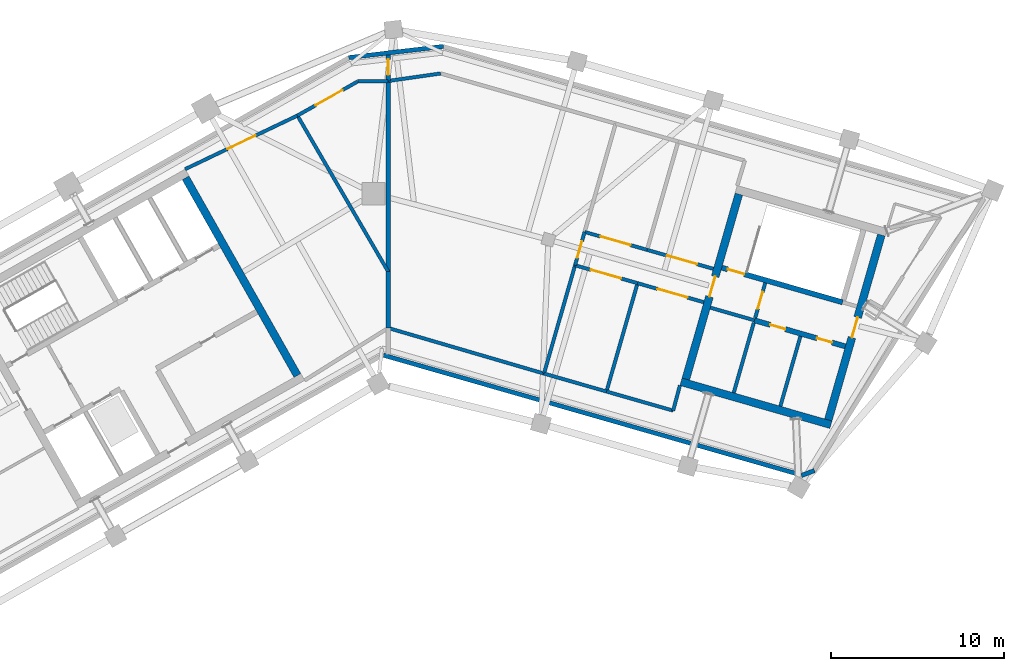
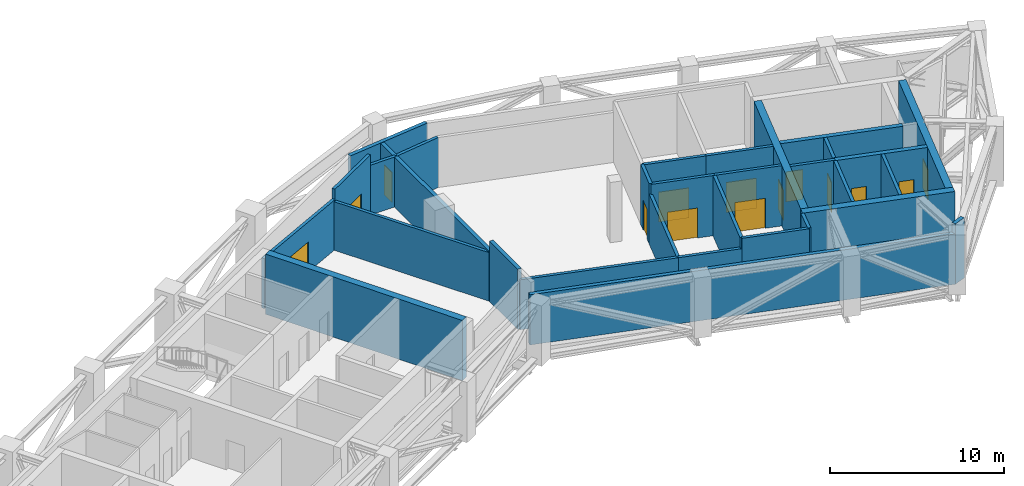
# One storey, part 10 of 13: 32 walls, 14 doors, 14 openings.
"""IFC4 building model written with IfcOpenShell, lengths in metres."""

from ifc_helpers import new_model, si_unit, direction, frame, frame_2d, origin, place, context, subcontext, project, spatial, rectangle, extrude, material, layer, layer_set, type_object, element, fill, save


model = new_model("IFC4")

# Units and contexts
model_context = context("Model", 3, precision=1e-05, world=origin(), true_north=direction((0.0, 1.0)))
body_context = subcontext(model_context, "Body", "Model", "MODEL_VIEW")
ifc_project = project(units=[si_unit("LENGTHUNIT", "METRE"), si_unit("AREAUNIT", "SQUARE_METRE"), si_unit("VOLUMEUNIT", "CUBIC_METRE"), si_unit("PLANEANGLEUNIT", "RADIAN"), si_unit("MASSUNIT", "GRAM", prefix="KILO")], contexts=[model_context])

# Site, building, storey
site_placement = place(None, origin())
site = spatial("IfcSite", under=ifc_project, at=site_placement, CompositionType="ELEMENT")
building_placement = place(site_placement, origin())
building = spatial("IfcBuilding", under=site, at=building_placement, Name="Binnacle Exchange Tower", CompositionType="ELEMENT")
storey_placement = place(building_placement, frame((0.0, 0.0, 258.199951171875)))
storey = spatial("IfcBuildingStorey", under=building, at=storey_placement, Name="L57", CompositionType="ELEMENT", Elevation=258.199951171875)

# Wall
ifc_material_1 = material(Name="Gypsum partition fire rated")
ifc_layer_1 = layer(ifc_material_1, 0.199951171875)
ifc_layer_set_1 = layer_set([ifc_layer_1], Name="Core partition 200")
wall_type_1 = type_object("IfcWallType", Name="Core partition 200", PredefinedType="PARTITIONING", material=ifc_layer_set_1)
wall_1_placement = place(storey_placement, frame((22.623291015625, 47.7392578125, 0.0), z_axis=(0.0, 0.0, 1.0), x_axis=(0.275642273411, 0.961260285827, 0.0)))
element("IfcWall", 1, at=wall_1_placement, inside=storey, type_object=wall_type_1, Name="Core wall CRWD10", PredefinedType="PARTITIONING", context=body_context, shape_type="SweptSolid", body=[
    extrude(rectangle(XDim=4.199951171875, YDim=0.199951171875, at=frame_2d((2.10009765625, 0.0))), origin(), (0.0, 0.0, 1.0), 4.219970703125),
])

# Wall, openings, doors
ifc_material_2 = material(Name="Concrete C70/85", Category="concrete")
ifc_layer_2 = layer(ifc_material_2, 0.300048828125)
ifc_layer_set_2 = layer_set([ifc_layer_2], Name="Core wall - front 300")
wall_type_2 = type_object("IfcWallType", Name="Core wall - front 300", PredefinedType="SOLIDWALL", material=ifc_layer_set_2)
wall_2_placement = place(storey_placement, frame((21.130859375, 52.6923828125, 0.0), z_axis=(0.0, 0.0, 1.0), x_axis=(0.961261488075, -0.275638080722, 0.0)))
wall_2 = element("IfcWall", 2, at=wall_2_placement, inside=storey, type_object=wall_type_2, Name="Core wall CRWD3", PredefinedType="SOLIDWALL", context=body_context, shape_type="SweptSolid", body=[
    extrude(rectangle(XDim=5.449951171875, YDim=0.300048828125, at=frame_2d((2.72509765625, 0.0))), origin(), (0.0, 0.0, 1.0), 4.219970703125),
])
opening_1_placement = place(wall_2_placement, frame((0.949951171875, 0.0, 0.0)))
opening_1 = element("IfcOpeningElement", 3, at=opening_1_placement, cuts=wall_2, Name="Opening DD10", PredefinedType="OPENING", context=body_context, shape_type="SweptSolid", body=[
    extrude(rectangle(XDim=0.89990234375, YDim=2.10009765625, at=frame_2d((0.449951171875, 1.050048828125))), frame((0.0, 0.159912109375, 0.0), z_axis=(0.0, -1.0, 0.0), x_axis=(1.0, 0.0, 0.0)), (0.0, 0.0, 1.0), 0.320068359375),
])
opening_2_placement = place(wall_2_placement, frame((3.75, 0.0, 0.0)))
opening_2 = element("IfcOpeningElement", 4, at=opening_2_placement, cuts=wall_2, Name="Opening DD11", PredefinedType="OPENING", context=body_context, shape_type="SweptSolid", body=[
    extrude(rectangle(XDim=0.89990234375, YDim=2.10009765625, at=frame_2d((0.449951171875, 1.050048828125))), frame((0.0, 0.159912109375, 0.0), z_axis=(0.0, -1.0, 0.0), x_axis=(1.0, 0.0, 0.0)), (0.0, 0.0, 1.0), 0.320068359375),
])
ifc_material_3 = material(Name="Steel door leaf", Category="steel")
door_type_1 = type_object("IfcDoorType", Name="Fire door 900", OperationType="NOTDEFINED", PredefinedType="DOOR", material=ifc_material_3)
door_1_placement = place(opening_1_placement, frame((0.89990234375, 0.0, 0.0), z_axis=(0.0, 0.0, 1.0), x_axis=(-1.0, 0.0, 0.0)))
door_1 = element("IfcDoor", 5, at=door_1_placement, inside=storey, type_object=door_type_1, Name="Core room door IT STORE", OperationType="SINGLE_SWING_RIGHT", OverallHeight=2.10009765625, OverallWidth=0.89990234375, PredefinedType="DOOR", context=body_context, shape_type="SweptSolid", body=[
    extrude(rectangle(XDim=0.89990234375, YDim=2.10009765625, at=frame_2d((0.449951171875, 1.050048828125))), frame((0.0, 0.02490234375, 0.0), z_axis=(0.0, -1.0, 0.0), x_axis=(1.0, 0.0, 0.0)), (0.0, 0.0, 1.0), 0.050048828125),
])
fill(opening_1, door_1)
door_2_placement = place(opening_2_placement, frame((0.89990234375, 0.0, 0.0), z_axis=(0.0, 0.0, 1.0), x_axis=(-1.0, 0.0, 0.0)))
door_2 = element("IfcDoor", 6, at=door_2_placement, inside=storey, type_object=door_type_1, Name="Core room door UPS CUPBOARD", OperationType="SINGLE_SWING_LEFT", OverallHeight=2.10009765625, OverallWidth=0.89990234375, PredefinedType="DOOR", context=body_context, shape_type="SweptSolid", body=[
    extrude(rectangle(XDim=0.89990234375, YDim=2.10009765625, at=frame_2d((0.449951171875, 1.050048828125))), frame((0.0, 0.02490234375, 0.0), z_axis=(0.0, -1.0, 0.0), x_axis=(1.0, 0.0, 0.0)), (0.0, 0.0, 1.0), 0.050048828125),
])
fill(opening_2, door_2)

# Walls
ifc_layer_3 = layer(ifc_material_2, 0.449951171875)
ifc_layer_set_3 = layer_set([ifc_layer_3], Name="Core wall - outer 450")
wall_type_3 = type_object("IfcWallType", Name="Core wall - outer 450", PredefinedType="SOLIDWALL", material=ifc_layer_set_3)
wall_3_placement = place(storey_placement, frame((-11.689453125, 60.912109375, 0.0), z_axis=(0.0, 0.0, 1.0), x_axis=(0.492421378713, -0.870356930107, 0.0)))
element("IfcWall", 7, at=wall_3_placement, inside=storey, type_object=wall_type_3, Name="Core wall CRWC24", PredefinedType="SOLIDWALL", context=body_context, shape_type="SweptSolid", body=[
    extrude(rectangle(XDim=13.099853515625, YDim=0.449951171875, at=frame_2d((6.5498046875, 0.0))), origin(), (0.0, 0.0, 1.0), 4.219970703125),
])
wall_4_placement = place(storey_placement, frame((16.889892578125, 49.149169921875, 0.0), z_axis=(0.0, 0.0, 1.0), x_axis=(0.96126248289, -0.275634611374, 0.0)))
element("IfcWall", 8, at=wall_4_placement, inside=storey, type_object=wall_type_3, Name="Core wall CRWD1", PredefinedType="SOLIDWALL", context=body_context, shape_type="SweptSolid", body=[
    extrude(rectangle(XDim=9.0, YDim=0.449951171875, at=frame_2d((4.5, 0.0))), origin(), (0.0, 0.0, 1.0), 4.219970703125),
])

# Wall, opening, door
wall_5_placement = place(storey_placement, frame((17.168212890625, 49.303466796875, 0.0), z_axis=(0.0, 0.0, 1.0), x_axis=(0.275638974822, 0.961261231695, 0.0)))
wall_5 = element("IfcWall", 9, at=wall_5_placement, inside=storey, type_object=wall_type_3, Name="Core wall CRWD7", PredefinedType="SOLIDWALL", context=body_context, shape_type="SweptSolid", body=[
    extrude(rectangle(XDim=11.099853515625, YDim=0.449951171875, at=frame_2d((5.5498046875, 0.0))), origin(), (0.0, 0.0, 1.0), 4.219970703125),
])
opening_3_placement = place(wall_5_placement, frame((4.9501953125, 0.0, 0.0)))
opening_3 = element("IfcOpeningElement", 10, at=opening_3_placement, cuts=wall_5, Name="Opening DD5", PredefinedType="OPENING", context=body_context, shape_type="SweptSolid", body=[
    extrude(rectangle(XDim=1.199951171875, YDim=2.10009765625, at=frame_2d((0.60009765625, 1.050048828125))), frame((0.0, 0.23486328125, 0.0), z_axis=(0.0, -1.0, 0.0), x_axis=(1.0, 0.0, 0.0)), (0.0, 0.0, 1.0), 0.469970703125),
])
door_type_2 = type_object("IfcDoorType", Name="Fire door 1200", OperationType="NOTDEFINED", PredefinedType="DOOR", material=ifc_material_3)
door_3_placement = place(opening_3_placement, origin())
door_3 = element("IfcDoor", 11, at=door_3_placement, inside=storey, type_object=door_type_2, Name="Vestibule exit door VEST-W", OperationType="SINGLE_SWING_RIGHT", OverallHeight=2.10009765625, OverallWidth=1.199951171875, PredefinedType="DOOR", context=body_context, shape_type="SweptSolid", body=[
    extrude(rectangle(XDim=1.199951171875, YDim=2.10009765625, at=frame_2d((0.60009765625, 1.050048828125))), frame((0.0, 0.02490234375, 0.0), z_axis=(0.0, -1.0, 0.0), x_axis=(1.0, 0.0, 0.0)), (0.0, 0.0, 1.0), 0.050048828125),
])
fill(opening_3, door_3)

wall_6_placement = place(storey_placement, frame((25.386962890625, 46.94677734375, 0.0), z_axis=(0.0, 0.0, 1.0), x_axis=(0.275638974822, 0.961261231695, 0.0)))
wall_6 = element("IfcWall", 12, at=wall_6_placement, inside=storey, type_object=wall_type_3, Name="Core wall CRWD12", PredefinedType="SOLIDWALL", context=body_context, shape_type="SweptSolid", body=[
    extrude(rectangle(XDim=11.099853515625, YDim=0.449951171875, at=frame_2d((5.5498046875, 0.0))), origin(), (0.0, 0.0, 1.0), 4.219970703125),
])
opening_4_placement = place(wall_6_placement, frame((4.949951171875, 0.0, 0.0)))
opening_4 = element("IfcOpeningElement", 13, at=opening_4_placement, cuts=wall_6, Name="Opening DD6", PredefinedType="OPENING", context=body_context, shape_type="SweptSolid", body=[
    extrude(rectangle(XDim=1.199951171875, YDim=2.10009765625, at=frame_2d((0.60009765625, 1.050048828125))), frame((0.0, 0.23486328125, 0.0), z_axis=(0.0, -1.0, 0.0), x_axis=(1.0, 0.0, 0.0)), (0.0, 0.0, 1.0), 0.469970703125),
])
door_4_placement = place(opening_4_placement, frame((1.199951171875, 0.0, 0.0), z_axis=(0.0, 0.0, 1.0), x_axis=(-1.0, 0.0, 0.0)))
door_4 = element("IfcDoor", 14, at=door_4_placement, inside=storey, type_object=door_type_2, Name="Core passage exit door", OperationType="SINGLE_SWING_RIGHT", OverallHeight=2.10009765625, OverallWidth=1.199951171875, PredefinedType="DOOR", context=body_context, shape_type="SweptSolid", body=[
    extrude(rectangle(XDim=1.199951171875, YDim=2.10009765625, at=frame_2d((0.60009765625, 1.050048828125))), frame((0.0, 0.02490234375, 0.0), z_axis=(0.0, -1.0, 0.0), x_axis=(1.0, 0.0, 0.0)), (0.0, 0.0, 1.0), 0.050048828125),
])
fill(opening_4, door_4)

ifc_layer_4 = layer(ifc_material_2, 0.300048828125)
ifc_layer_set_4 = layer_set([ifc_layer_4], Name="Core wall - stair 300")
wall_type_4 = type_object("IfcWallType", Name="Core wall - stair 300", PredefinedType="SOLIDWALL", material=ifc_layer_set_4)
wall_7_placement = place(storey_placement, frame((19.2451171875, 55.72998046875, 0.0), z_axis=(0.0, 0.0, 1.0), x_axis=(0.961263007877, -0.275632780503, 0.0)))
wall_7 = element("IfcWall", 15, at=wall_7_placement, inside=storey, type_object=wall_type_4, Name="Core wall CRWD4", PredefinedType="SOLIDWALL", context=body_context, shape_type="SweptSolid", body=[
    extrude(rectangle(XDim=7.249755859375, YDim=0.300048828125, at=frame_2d((3.625, 0.0))), origin(), (0.0, 0.0, 1.0), 4.219970703125),
])
opening_5_placement = place(wall_7_placement, frame((0.35009765625, 0.0, 0.0)))
opening_5 = element("IfcOpeningElement", 16, at=opening_5_placement, cuts=wall_7, Name="Opening DD1", PredefinedType="OPENING", context=body_context, shape_type="SweptSolid", body=[
    extrude(rectangle(XDim=1.0, YDim=2.10009765625, at=frame_2d((0.5, 1.050048828125))), frame((0.0, 0.159912109375, 0.0), z_axis=(0.0, -1.0, 0.0), x_axis=(1.0, 0.0, 0.0)), (0.0, 0.0, 1.0), 0.320068359375),
])
door_type_3 = type_object("IfcDoorType", Name="Fire door 1000", OperationType="NOTDEFINED", PredefinedType="DOOR", material=ifc_material_3)
door_5_placement = place(opening_5_placement, origin())
door_5 = element("IfcDoor", 17, at=door_5_placement, inside=storey, type_object=door_type_3, Name="Stair door ST-D1", OperationType="SINGLE_SWING_LEFT", OverallHeight=2.10009765625, OverallWidth=1.0, PredefinedType="DOOR", context=body_context, shape_type="SweptSolid", body=[
    extrude(rectangle(XDim=1.0, YDim=2.10009765625, at=frame_2d((0.5, 1.050048828125))), frame((0.0, 0.02490234375, 0.0), z_axis=(0.0, -1.0, 0.0), x_axis=(1.0, 0.0, 0.0)), (0.0, 0.0, 1.0), 0.050048828125),
])
fill(opening_5, door_5)

# Walls
ifc_material_4 = material(Name="Bronze aluminium louvre", Category="aluminium")
ifc_layer_5 = layer(ifc_material_4, 0.25)
ifc_layer_set_5 = layer_set([ifc_layer_5], Name="External wall - plant floor louvre 250")
wall_type_5 = type_object("IfcWallType", Name="External wall - plant floor louvre 250", PredefinedType="STANDARD", material=ifc_layer_set_5)
wall_8_placement = place(storey_placement, frame((23.91943359375, 43.741943359375, 0.0), z_axis=(0.0, 0.0, 1.0), x_axis=(-0.96126099052, 0.27563981589, 0.0)))
element("IfcWall", 18, at=wall_8_placement, inside=storey, type_object=wall_type_5, Name="External wall EW-Gm01 L57", PredefinedType="STANDARD", context=body_context, shape_type="SweptSolid", body=[
    extrude(rectangle(XDim=25.16259765625, YDim=0.25, at=frame_2d((12.581298828125, 0.0))), origin(), (0.0, 0.0, 1.0), 3.52001953125),
])
wall_9_placement = place(storey_placement, frame((24.59326171875, 44.027587890625, 0.0), z_axis=(0.0, 0.0, 1.0), x_axis=(-0.933602754809, -0.358309776886, 0.0)))
element("IfcWall", 19, at=wall_9_placement, inside=storey, type_object=wall_type_5, Name="External wall EW-Gm02 L57", PredefinedType="STANDARD", context=body_context, shape_type="SweptSolid", body=[
    extrude(rectangle(XDim=0.806640625, YDim=0.25, at=frame_2d((0.4033203125, 0.0))), origin(), (0.0, 0.0, 1.0), 4.219970703125),
])
wall_10_placement = place(storey_placement, frame((-2.27783203125, 67.85009765625, 0.0), z_axis=(0.0, 0.0, 1.0), x_axis=(0.993072509993, 0.117503148449, 0.0)))
element("IfcWall", 20, at=wall_10_placement, inside=storey, type_object=wall_type_5, Name="External wall EW-Gm05 L57", PredefinedType="STANDARD", context=body_context, shape_type="SweptSolid", body=[
    extrude(rectangle(XDim=5.499755859375, YDim=0.25, at=frame_2d((2.75, 0.0))), origin(), (0.0, 0.0, 1.0), 3.52001953125),
])

# Wall, opening, door
ifc_material_5 = material(Name="Masonry block wall", Category="masonry")
ifc_layer_6 = layer(ifc_material_5, 0.199951171875)
ifc_layer_set_6 = layer_set([ifc_layer_6], Name="Fire wall - block 200")
wall_type_6 = type_object("IfcWallType", Name="Fire wall - block 200", PredefinedType="PARTITIONING", material=ifc_layer_set_6)
wall_11_placement = place(storey_placement, frame((-11.715087890625, 61.4140625, 0.0), z_axis=(0.0, 0.0, 1.0), x_axis=(0.902508084709, 0.430672911889, 0.0)))
wall_11 = element("IfcWall", 21, at=wall_11_placement, inside=storey, type_object=wall_type_6, Name="Partition W26", PredefinedType="PARTITIONING", context=body_context, shape_type="SweptSolid", body=[
    extrude(rectangle(XDim=7.1767578125, YDim=0.199951171875, at=frame_2d((3.58837890625, 0.0))), origin(), (0.0, 0.0, 1.0), 3.5),
])
opening_6_placement = place(wall_11_placement, frame((2.699951171875, 0.0, 0.0)))
opening_6 = element("IfcOpeningElement", 22, at=opening_6_placement, cuts=wall_11, Name="Opening DL57-08", PredefinedType="OPENING", context=body_context, shape_type="SweptSolid", body=[
    extrude(rectangle(XDim=1.800048828125, YDim=2.10009765625, at=frame_2d((0.89990234375, 1.050048828125))), frame((0.0, 0.10986328125, 0.0), z_axis=(0.0, -1.0, 0.0), x_axis=(1.0, 0.0, 0.0)), (0.0, 0.0, 1.0), 0.219970703125),
])
door_type_4 = type_object("IfcDoorType", Name="Fire door 1800", OperationType="NOTDEFINED", PredefinedType="DOOR", material=ifc_material_3)
door_6_placement = place(opening_6_placement, frame((1.800048828125, 0.0, 0.0), z_axis=(0.0, 0.0, 1.0), x_axis=(-1.0, 0.0, 0.0)))
door_6 = element("IfcDoor", 23, at=door_6_placement, inside=storey, type_object=door_type_4, Name="Door DL57-08", OperationType="DOUBLE_DOOR_SINGLE_SWING", OverallHeight=2.10009765625, OverallWidth=1.800048828125, PredefinedType="DOOR", context=body_context, shape_type="SweptSolid", body=[
    extrude(rectangle(XDim=1.800048828125, YDim=2.10009765625, at=frame_2d((0.89990234375, 1.050048828125))), frame((0.0, 0.02490234375, 0.0), z_axis=(0.0, -1.0, 0.0), x_axis=(1.0, 0.0, 0.0)), (0.0, 0.0, 1.0), 0.050048828125),
])
fill(opening_6, door_6)

wall_12_placement = place(storey_placement, frame((-5.238037109375, 64.5048828125, 0.0), z_axis=(0.0, 0.0, 1.0), x_axis=(0.870376318556, 0.492387107972, 0.0)))
wall_12 = element("IfcWall", 24, at=wall_12_placement, inside=storey, type_object=wall_type_6, Name="Partition W27", PredefinedType="PARTITIONING", context=body_context, shape_type="SweptSolid", body=[
    extrude(rectangle(XDim=3.999267578125, YDim=0.199951171875, at=frame_2d((1.99951171875, 0.0))), origin(), (0.0, 0.0, 1.0), 4.219970703125),
])
opening_7_placement = place(wall_12_placement, frame((1.199951171875, 0.0, 0.0)))
opening_7 = element("IfcOpeningElement", 25, at=opening_7_placement, cuts=wall_12, Name="Opening DL57-09", PredefinedType="OPENING", context=body_context, shape_type="SweptSolid", body=[
    extrude(rectangle(XDim=1.800048828125, YDim=2.10009765625, at=frame_2d((0.89990234375, 1.050048828125))), frame((0.0, 0.10986328125, 0.0), z_axis=(0.0, -1.0, 0.0), x_axis=(1.0, 0.0, 0.0)), (0.0, 0.0, 1.0), 0.219970703125),
])
door_7_placement = place(opening_7_placement, frame((1.800048828125, 0.0, 0.0), z_axis=(0.0, 0.0, 1.0), x_axis=(-1.0, 0.0, 0.0)))
door_7 = element("IfcDoor", 26, at=door_7_placement, inside=storey, type_object=door_type_4, Name="Door DL57-09", OperationType="DOUBLE_DOOR_SINGLE_SWING", OverallHeight=2.10009765625, OverallWidth=1.800048828125, PredefinedType="DOOR", context=body_context, shape_type="SweptSolid", body=[
    extrude(rectangle(XDim=1.800048828125, YDim=2.10009765625, at=frame_2d((0.89990234375, 1.050048828125))), frame((0.0, 0.02490234375, 0.0), z_axis=(0.0, -1.0, 0.0), x_axis=(1.0, 0.0, 0.0)), (0.0, 0.0, 1.0), 0.050048828125),
])
fill(opening_7, door_7)

# Walls
wall_13_placement = place(storey_placement, frame((-5.238037109375, 64.5048828125, 0.0), z_axis=(0.0, 0.0, 1.0), x_axis=(0.502809852725, -0.864397045346, 0.0)))
element("IfcWall", 27, at=wall_13_placement, inside=storey, type_object=wall_type_6, Name="Partition W28", PredefinedType="PARTITIONING", context=body_context, shape_type="SweptSolid", body=[
    extrude(rectangle(XDim=10.41748046875, YDim=0.199951171875, at=frame_2d((5.208740234375, 0.0))), origin(), (0.0, 0.0, 1.0), 3.400146484375),
])
wall_14_placement = place(storey_placement, frame((-1.757080078125, 66.47412109375, 0.0), z_axis=(0.0, 0.0, 1.0), x_axis=(0.999891555363, 0.014726761827, 0.0)))
element("IfcWall", 28, at=wall_14_placement, inside=storey, type_object=wall_type_6, Name="Partition W30", PredefinedType="PARTITIONING", context=body_context, shape_type="SweptSolid", body=[
    extrude(rectangle(XDim=1.75732421875, YDim=0.199951171875, at=frame_2d((0.878662109375, 0.0))), origin(), (0.0, 0.0, 1.0), 3.5),
])
wall_15_placement = place(storey_placement, frame((0.0, 52.25, 0.0), z_axis=(0.0, 0.0, 1.0), x_axis=(0.959779227721, -0.280755826359, 0.0)))
element("IfcWall", 29, at=wall_15_placement, inside=storey, type_object=wall_type_6, Name="Partition W33", PredefinedType="PARTITIONING", context=body_context, shape_type="SweptSolid", body=[
    extrude(rectangle(XDim=9.36376953125, YDim=0.199951171875, at=frame_2d((4.681884765625, 0.0))), origin(), (0.0, 0.0, 1.0), 3.5),
])
wall_16_placement = place(storey_placement, frame((0.0, 66.5, 0.0), z_axis=(0.0, 0.0, 1.0), x_axis=(0.989887165849, 0.1418569663, 0.0)))
element("IfcWall", 30, at=wall_16_placement, inside=storey, type_object=wall_type_6, Name="Partition W36", PredefinedType="PARTITIONING", context=body_context, shape_type="SweptSolid", body=[
    extrude(rectangle(XDim=3.06005859375, YDim=0.199951171875, at=frame_2d((1.530029296875, 0.0))), origin(), (0.0, 0.0, 1.0), 3.5),
])
wall_17_placement = place(storey_placement, frame((8.987060546875, 49.62109375, 0.0), z_axis=(0.0, 0.0, 1.0), x_axis=(0.275703259795, 0.961242795832, 0.0)))
element("IfcWall", 31, at=wall_17_placement, inside=storey, type_object=wall_type_6, Name="Partition W38", PredefinedType="PARTITIONING", context=body_context, shape_type="SweptSolid", body=[
    extrude(rectangle(XDim=6.499755859375, YDim=0.199951171875, at=frame_2d((3.25, 0.0))), origin(), (0.0, 0.0, 1.0), 3.5),
])
wall_18_placement = place(storey_placement, frame((8.987060546875, 49.62109375, 0.0), z_axis=(0.0, 0.0, 1.0), x_axis=(0.961228613303, -0.275752702557, 0.0)))
element("IfcWall", 32, at=wall_18_placement, inside=storey, type_object=wall_type_6, Name="Partition W39", PredefinedType="PARTITIONING", context=body_context, shape_type="SweptSolid", body=[
    extrude(rectangle(XDim=3.75048828125, YDim=0.199951171875, at=frame_2d((1.875244140625, 0.0))), origin(), (0.0, 0.0, 1.0), 3.5),
])

# Wall, opening, door
wall_19_placement = place(storey_placement, frame((10.779052734375, 55.868896484375, 0.0), z_axis=(0.0, 0.0, 1.0), x_axis=(0.275575706981, 0.961279371318, 0.0)))
wall_19 = element("IfcWall", 33, at=wall_19_placement, inside=storey, type_object=wall_type_6, Name="Partition W40", PredefinedType="PARTITIONING", context=body_context, shape_type="SweptSolid", body=[
    extrude(rectangle(XDim=1.99951171875, YDim=0.199951171875, at=frame_2d((0.999755859375, 0.0))), origin(), (0.0, 0.0, 1.0), 4.219970703125),
])
opening_8_placement = place(wall_19_placement, frame((0.449951171875, 0.0, 0.0)))
opening_8 = element("IfcOpeningElement", 34, at=opening_8_placement, cuts=wall_19, Name="Opening DL57-14", PredefinedType="OPENING", context=body_context, shape_type="SweptSolid", body=[
    extrude(rectangle(XDim=1.0, YDim=2.10009765625, at=frame_2d((0.5, 1.050048828125))), frame((0.0, 0.10986328125, 0.0), z_axis=(0.0, -1.0, 0.0), x_axis=(1.0, 0.0, 0.0)), (0.0, 0.0, 1.0), 0.219970703125),
])
door_8_placement = place(opening_8_placement, origin())
door_8 = element("IfcDoor", 35, at=door_8_placement, inside=storey, type_object=door_type_3, Name="Door DL57-14", OperationType="SINGLE_SWING_LEFT", OverallHeight=2.10009765625, OverallWidth=1.0, PredefinedType="DOOR", context=body_context, shape_type="SweptSolid", body=[
    extrude(rectangle(XDim=1.0, YDim=2.10009765625, at=frame_2d((0.5, 1.050048828125))), frame((0.0, 0.02490234375, 0.0), z_axis=(0.0, -1.0, 0.0), x_axis=(1.0, 0.0, 0.0)), (0.0, 0.0, 1.0), 0.050048828125),
])
fill(opening_8, door_8)

wall_20_placement = place(storey_placement, frame((10.779052734375, 55.868896484375, 0.0), z_axis=(0.0, 0.0, 1.0), x_axis=(0.961245866545, -0.275692553489, 0.0)))
wall_20 = element("IfcWall", 36, at=wall_20_placement, inside=storey, type_object=wall_type_6, Name="Partition W41", PredefinedType="PARTITIONING", context=body_context, shape_type="SweptSolid", body=[
    extrude(rectangle(XDim=3.750244140625, YDim=0.199951171875, at=frame_2d((1.875, 0.0))), origin(), (0.0, 0.0, 1.0), 4.219970703125),
])
opening_9_placement = place(wall_20_placement, frame((0.949951171875, 0.0, 0.0)))
opening_9 = element("IfcOpeningElement", 37, at=opening_9_placement, cuts=wall_20, Name="Opening DL57-12", PredefinedType="OPENING", context=body_context, shape_type="SweptSolid", body=[
    extrude(rectangle(XDim=1.800048828125, YDim=2.10009765625, at=frame_2d((0.89990234375, 1.050048828125))), frame((0.0, 0.10986328125, 0.0), z_axis=(0.0, -1.0, 0.0), x_axis=(1.0, 0.0, 0.0)), (0.0, 0.0, 1.0), 0.219970703125),
])
door_9_placement = place(opening_9_placement, frame((1.800048828125, 0.0, 0.0), z_axis=(0.0, 0.0, 1.0), x_axis=(-1.0, 0.0, 0.0)))
door_9 = element("IfcDoor", 38, at=door_9_placement, inside=storey, type_object=door_type_4, Name="Door DL57-12", OperationType="DOUBLE_DOOR_SINGLE_SWING", OverallHeight=2.10009765625, OverallWidth=1.800048828125, PredefinedType="DOOR", context=body_context, shape_type="SweptSolid", body=[
    extrude(rectangle(XDim=1.800048828125, YDim=2.10009765625, at=frame_2d((0.89990234375, 1.050048828125))), frame((0.0, 0.02490234375, 0.0), z_axis=(0.0, -1.0, 0.0), x_axis=(1.0, 0.0, 0.0)), (0.0, 0.0, 1.0), 0.050048828125),
])
fill(opening_9, door_9)

wall_21_placement = place(storey_placement, frame((11.330078125, 57.791015625, 0.0), z_axis=(0.0, 0.0, 1.0), x_axis=(0.961314848061, -0.275451924837, 0.0)))
wall_21 = element("IfcWall", 39, at=wall_21_placement, inside=storey, type_object=wall_type_6, Name="Partition W43", PredefinedType="PARTITIONING", context=body_context, shape_type="SweptSolid", body=[
    extrude(rectangle(XDim=3.75, YDim=0.199951171875, at=frame_2d((1.875, 0.0))), origin(), (0.0, 0.0, 1.0), 4.219970703125),
])
opening_10_placement = place(wall_21_placement, frame((0.949951171875, 0.0, 0.0)))
opening_10 = element("IfcOpeningElement", 40, at=opening_10_placement, cuts=wall_21, Name="Opening DL57-10", PredefinedType="OPENING", context=body_context, shape_type="SweptSolid", body=[
    extrude(rectangle(XDim=1.800048828125, YDim=2.10009765625, at=frame_2d((0.89990234375, 1.050048828125))), frame((0.0, 0.10986328125, 0.0), z_axis=(0.0, -1.0, 0.0), x_axis=(1.0, 0.0, 0.0)), (0.0, 0.0, 1.0), 0.219970703125),
])
door_10_placement = place(opening_10_placement, origin())
door_10 = element("IfcDoor", 41, at=door_10_placement, inside=storey, type_object=door_type_4, Name="Door DL57-10", OperationType="DOUBLE_DOOR_SINGLE_SWING", OverallHeight=2.10009765625, OverallWidth=1.800048828125, PredefinedType="DOOR", context=body_context, shape_type="SweptSolid", body=[
    extrude(rectangle(XDim=1.800048828125, YDim=2.10009765625, at=frame_2d((0.89990234375, 1.050048828125))), frame((0.0, 0.02490234375, 0.0), z_axis=(0.0, -1.0, 0.0), x_axis=(1.0, 0.0, 0.0)), (0.0, 0.0, 1.0), 0.050048828125),
])
fill(opening_10, door_10)

# Walls
wall_22_placement = place(storey_placement, frame((12.592041015625, 48.5869140625, 0.0), z_axis=(0.0, 0.0, 1.0), x_axis=(0.275693305607, 0.961245650832, 0.0)))
element("IfcWall", 42, at=wall_22_placement, inside=storey, type_object=wall_type_6, Name="Partition W44", PredefinedType="PARTITIONING", context=body_context, shape_type="SweptSolid", body=[
    extrude(rectangle(XDim=6.5, YDim=0.199951171875, at=frame_2d((3.25, 0.0))), origin(), (0.0, 0.0, 1.0), 4.219970703125),
])
wall_23_placement = place(storey_placement, frame((12.592041015625, 48.5869140625, 0.0), z_axis=(0.0, 0.0, 1.0), x_axis=(0.961228587008, -0.275752794216, 0.0)))
element("IfcWall", 43, at=wall_23_placement, inside=storey, type_object=wall_type_6, Name="Partition W45", PredefinedType="PARTITIONING", context=body_context, shape_type="SweptSolid", body=[
    extrude(rectangle(XDim=4.0, YDim=0.199951171875, at=frame_2d((2.0, 0.0))), origin(), (0.0, 0.0, 1.0), 4.219970703125),
])

# Wall, opening, door
wall_24_placement = place(storey_placement, frame((14.384033203125, 54.8349609375, 0.0), z_axis=(0.0, 0.0, 1.0), x_axis=(0.961261679898, -0.275637411757, 0.0)))
wall_24 = element("IfcWall", 44, at=wall_24_placement, inside=storey, type_object=wall_type_6, Name="Partition W47", PredefinedType="PARTITIONING", context=body_context, shape_type="SweptSolid", body=[
    extrude(rectangle(XDim=3.97607421875, YDim=0.199951171875, at=frame_2d((1.988037109375, 0.0))), origin(), (0.0, 0.0, 1.0), 4.219970703125),
])
opening_11_placement = place(wall_24_placement, frame((1.199951171875, 0.0, 0.0)))
opening_11 = element("IfcOpeningElement", 45, at=opening_11_placement, cuts=wall_24, Name="Opening DL57-13", PredefinedType="OPENING", context=body_context, shape_type="SweptSolid", body=[
    extrude(rectangle(XDim=1.800048828125, YDim=2.10009765625, at=frame_2d((0.89990234375, 1.050048828125))), frame((0.0, 0.10986328125, 0.0), z_axis=(0.0, -1.0, 0.0), x_axis=(1.0, 0.0, 0.0)), (0.0, 0.0, 1.0), 0.219970703125),
])
door_11_placement = place(opening_11_placement, frame((1.800048828125, 0.0, 0.0), z_axis=(0.0, 0.0, 1.0), x_axis=(-1.0, 0.0, 0.0)))
door_11 = element("IfcDoor", 46, at=door_11_placement, inside=storey, type_object=door_type_4, Name="Door DL57-13", OperationType="DOUBLE_DOOR_SINGLE_SWING", OverallHeight=2.10009765625, OverallWidth=1.800048828125, PredefinedType="DOOR", context=body_context, shape_type="SweptSolid", body=[
    extrude(rectangle(XDim=1.800048828125, YDim=2.10009765625, at=frame_2d((0.89990234375, 1.050048828125))), frame((0.0, 0.02490234375, 0.0), z_axis=(0.0, -1.0, 0.0), x_axis=(1.0, 0.0, 0.0)), (0.0, 0.0, 1.0), 0.050048828125),
])
fill(opening_11, door_11)

wall_25_placement = place(storey_placement, frame((14.93505859375, 56.758056640625, 0.0), z_axis=(0.0, 0.0, 1.0), x_axis=(0.961261679898, -0.275637411757, 0.0)))
wall_25 = element("IfcWall", 47, at=wall_25_placement, inside=storey, type_object=wall_type_6, Name="Partition W49", PredefinedType="PARTITIONING", context=body_context, shape_type="SweptSolid", body=[
    extrude(rectangle(XDim=3.97607421875, YDim=0.199951171875, at=frame_2d((1.988037109375, 0.0))), origin(), (0.0, 0.0, 1.0), 4.219970703125),
])
opening_12_placement = place(wall_25_placement, frame((1.199951171875, 0.0, 0.0)))
opening_12 = element("IfcOpeningElement", 48, at=opening_12_placement, cuts=wall_25, Name="Opening DL57-11", PredefinedType="OPENING", context=body_context, shape_type="SweptSolid", body=[
    extrude(rectangle(XDim=1.800048828125, YDim=2.10009765625, at=frame_2d((0.89990234375, 1.050048828125))), frame((0.0, 0.10986328125, 0.0), z_axis=(0.0, -1.0, 0.0), x_axis=(1.0, 0.0, 0.0)), (0.0, 0.0, 1.0), 0.219970703125),
])
door_12_placement = place(opening_12_placement, origin())
door_12 = element("IfcDoor", 49, at=door_12_placement, inside=storey, type_object=door_type_4, Name="Door DL57-11", OperationType="DOUBLE_DOOR_SINGLE_SWING", OverallHeight=2.10009765625, OverallWidth=1.800048828125, PredefinedType="DOOR", context=body_context, shape_type="SweptSolid", body=[
    extrude(rectangle(XDim=1.800048828125, YDim=2.10009765625, at=frame_2d((0.89990234375, 1.050048828125))), frame((0.0, 0.02490234375, 0.0), z_axis=(0.0, -1.0, 0.0), x_axis=(1.0, 0.0, 0.0)), (0.0, 0.0, 1.0), 0.050048828125),
])
fill(opening_12, door_12)

# Walls
wall_26_placement = place(storey_placement, frame((16.43701171875, 47.48388671875, 0.0), z_axis=(0.0, 0.0, 1.0), x_axis=(0.260405090968, 0.965499450335, 0.0)))
element("IfcWall", 50, at=wall_26_placement, inside=storey, type_object=wall_type_6, Name="Partition W50", PredefinedType="PARTITIONING", context=body_context, shape_type="SweptSolid", body=[
    extrude(rectangle(XDim=1.5009765625, YDim=0.199951171875, at=frame_2d((0.75048828125, 0.0))), origin(), (0.0, 0.0, 1.0), 4.219970703125),
])
ifc_material_6 = material(Name="Concrete fire wall C30/37", Category="concrete")
ifc_layer_7 = layer(ifc_material_6, 0.25)
ifc_layer_set_7 = layer_set([ifc_layer_7], Name="Fire wall - compartment 250")
wall_type_7 = type_object("IfcWallType", Name="Fire wall - compartment 250", PredefinedType="PARTITIONING", material=ifc_layer_set_7)
wall_27_placement = place(storey_placement, frame((0.0, 52.25, 0.0), z_axis=(0.0, 0.0, 1.0), x_axis=(0.0, 1.0, 0.0)))
element("IfcWall", 51, at=wall_27_placement, inside=storey, type_object=wall_type_7, Name="Fire Wall W32", PredefinedType="PARTITIONING", context=body_context, shape_type="SweptSolid", body=[
    extrude(rectangle(XDim=3.25, YDim=0.25, at=frame_2d((1.625, 0.0))), origin(), (0.0, 0.0, 1.0), 4.219970703125),
])
wall_28_placement = place(storey_placement, frame((0.0, 55.5, 0.0), z_axis=(0.0, 0.0, 1.0), x_axis=(0.0, 1.0, 0.0)))
element("IfcWall", 52, at=wall_28_placement, inside=storey, type_object=wall_type_7, Name="Fire Wall W34", PredefinedType="PARTITIONING", context=body_context, shape_type="SweptSolid", body=[
    extrude(rectangle(XDim=11.0, YDim=0.25, at=frame_2d((5.5, 0.0))), origin(), (0.0, 0.0, 1.0), 3.5),
])

# Wall, opening, door
wall_29_placement = place(storey_placement, frame((0.0, 66.5, 0.0), z_axis=(0.0, 0.0, 1.0), x_axis=(0.0, 1.0, 0.0)))
wall_29 = element("IfcWall", 53, at=wall_29_placement, inside=storey, type_object=wall_type_7, Name="Fire Wall W35", PredefinedType="PARTITIONING", context=body_context, shape_type="SweptSolid", body=[
    extrude(rectangle(XDim=1.493896484375, YDim=0.25, at=frame_2d((0.7470703125, 0.0))), origin(), (0.0, 0.0, 1.0), 3.5),
])
opening_13_placement = place(wall_29_placement, frame((0.35009765625, 0.0, 0.0)))
opening_13 = element("IfcOpeningElement", 54, at=opening_13_placement, cuts=wall_29, Name="Opening DL57-17", PredefinedType="OPENING", context=body_context, shape_type="SweptSolid", body=[
    extrude(rectangle(XDim=0.89990234375, YDim=2.10009765625, at=frame_2d((0.449951171875, 1.050048828125))), frame((0.0, 0.135009765625, 0.0), z_axis=(0.0, -1.0, 0.0), x_axis=(1.0, 0.0, 0.0)), (0.0, 0.0, 1.0), 0.27001953125),
])
door_13_placement = place(opening_13_placement, origin())
door_13 = element("IfcDoor", 55, at=door_13_placement, inside=storey, type_object=door_type_1, Name="Door DL57-17", OperationType="SINGLE_SWING_RIGHT", OverallHeight=2.10009765625, OverallWidth=0.89990234375, PredefinedType="DOOR", context=body_context, shape_type="SweptSolid", body=[
    extrude(rectangle(XDim=0.89990234375, YDim=2.10009765625, at=frame_2d((0.449951171875, 1.050048828125))), frame((0.0, 0.02490234375, 0.0), z_axis=(0.0, -1.0, 0.0), x_axis=(1.0, 0.0, 0.0)), (0.0, 0.0, 1.0), 0.050048828125),
])
fill(opening_13, door_13)

ifc_layer_8 = layer(ifc_material_5, 0.199951171875)
ifc_layer_set_8 = layer_set([ifc_layer_8], Name="Fire wall - vestibule 200")
wall_type_8 = type_object("IfcWallType", Name="Fire wall - vestibule 200", PredefinedType="PARTITIONING", material=ifc_layer_set_8)
wall_30_placement = place(storey_placement, frame((21.172119140625, 52.836669921875, 0.0), z_axis=(0.0, 0.0, 1.0), x_axis=(0.275657676022, 0.961255868981, 0.0)))
wall_30 = element("IfcWall", 56, at=wall_30_placement, inside=storey, type_object=wall_type_8, Name="Core wall CRWD9", PredefinedType="PARTITIONING", context=body_context, shape_type="SweptSolid", body=[
    extrude(rectangle(XDim=2.099853515625, YDim=0.199951171875, at=frame_2d((1.0498046875, 0.0))), origin(), (0.0, 0.0, 1.0), 4.219970703125),
])
opening_14_placement = place(wall_30_placement, frame((0.550048828125, 0.0, 0.0)))
opening_14 = element("IfcOpeningElement", 57, at=opening_14_placement, cuts=wall_30, Name="Opening DD3", PredefinedType="OPENING", context=body_context, shape_type="SweptSolid", body=[
    extrude(rectangle(XDim=1.0, YDim=2.10009765625, at=frame_2d((0.5, 1.050048828125))), frame((0.0, 0.10986328125, 0.0), z_axis=(0.0, -1.0, 0.0), x_axis=(1.0, 0.0, 0.0)), (0.0, 0.0, 1.0), 0.219970703125),
])
door_14_placement = place(opening_14_placement, origin())
door_14 = element("IfcDoor", 58, at=door_14_placement, inside=storey, type_object=door_type_3, Name="Vestibule door VEST-W", OperationType="SINGLE_SWING_RIGHT", OverallHeight=2.10009765625, OverallWidth=1.0, PredefinedType="DOOR", context=body_context, shape_type="SweptSolid", body=[
    extrude(rectangle(XDim=1.0, YDim=2.10009765625, at=frame_2d((0.5, 1.050048828125))), frame((0.0, 0.02490234375, 0.0), z_axis=(0.0, -1.0, 0.0), x_axis=(1.0, 0.0, 0.0)), (0.0, 0.0, 1.0), 0.050048828125),
])
fill(opening_14, door_14)

# Walls
ifc_layer_9 = layer(ifc_material_5, 0.199951171875)
ifc_layer_set_9 = layer_set([ifc_layer_9], Name="Riser wall 200")
wall_type_9 = type_object("IfcWallType", Name="Riser wall 200", PredefinedType="SOLIDWALL", material=ifc_layer_set_9)
wall_31_placement = place(storey_placement, frame((18.58349609375, 53.4228515625, 0.0), z_axis=(0.0, 0.0, 1.0), x_axis=(0.961259287968, -0.275645753268, 0.0)))
element("IfcWall", 59, at=wall_31_placement, inside=storey, type_object=wall_type_9, Name="Core wall CRWD2", PredefinedType="SOLIDWALL", context=body_context, shape_type="SweptSolid", body=[
    extrude(rectangle(XDim=2.650146484375, YDim=0.199951171875, at=frame_2d((1.3251953125, 0.0))), origin(), (0.0, 0.0, 1.0), 4.219970703125),
])
wall_32_placement = place(storey_placement, frame((19.931884765625, 48.510986328125, 0.0), z_axis=(0.0, 0.0, 1.0), x_axis=(0.275642273411, 0.961260285827, 0.0)))
element("IfcWall", 60, at=wall_32_placement, inside=storey, type_object=wall_type_9, Name="Core wall CRWD8", PredefinedType="SOLIDWALL", context=body_context, shape_type="SweptSolid", body=[
    extrude(rectangle(XDim=4.199951171875, YDim=0.199951171875, at=frame_2d((2.10009765625, 0.0))), origin(), (0.0, 0.0, 1.0), 4.219970703125),
])

save(model, "model.ifc")
